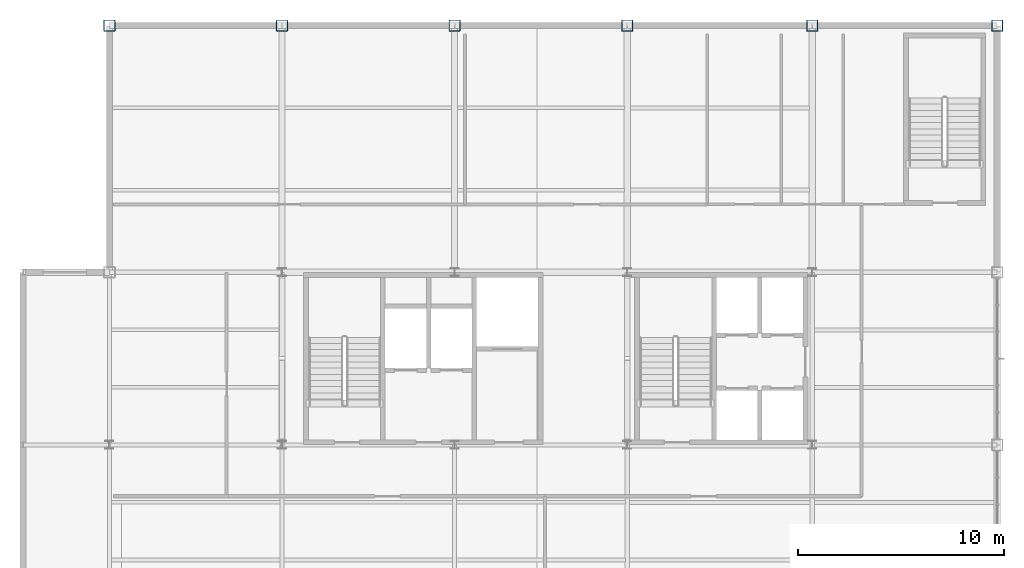
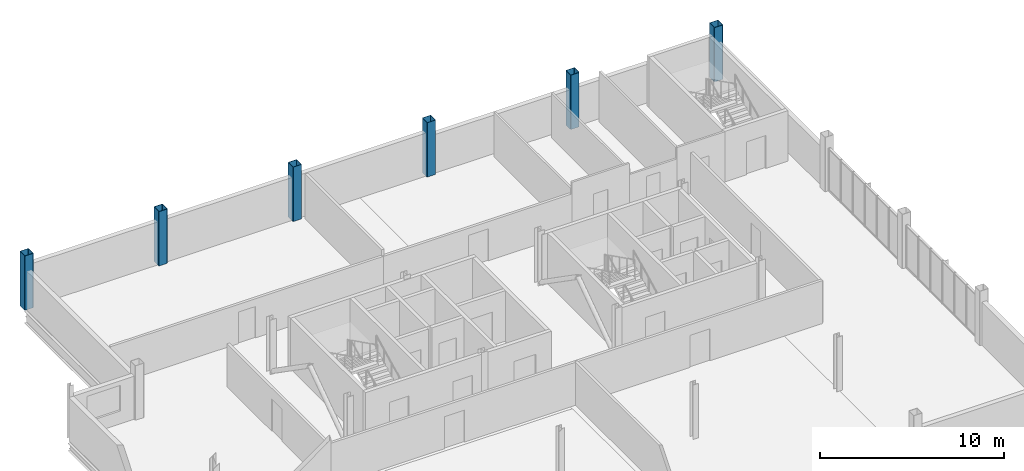
# One storey, part 4 of 18: 6 columns.
"""IFC4 building model written with IfcOpenShell, lengths in metres."""

from ifc_helpers import new_model, si_unit, direction, frame, origin, origin_2d, place, context, subcontext, project, spatial, hollow_rectangle, extrude, material, material_profile, profile_set, type_object, element, save


model = new_model("IFC4")

# Units and contexts
model_context = context("Model", 3, precision=1e-05, world=origin(), true_north=direction((0.0, 1.0)))
body_context = subcontext(model_context, "Body", "Model", "MODEL_VIEW")
ifc_project = project(units=[si_unit("LENGTHUNIT", "METRE"), si_unit("AREAUNIT", "SQUARE_METRE"), si_unit("VOLUMEUNIT", "CUBIC_METRE"), si_unit("PLANEANGLEUNIT", "RADIAN"), si_unit("MASSUNIT", "GRAM", prefix="KILO")], contexts=[model_context])

# Site, building, storey
site_placement = place(None, origin())
site = spatial("IfcSite", under=ifc_project, at=site_placement, CompositionType="ELEMENT")
building_placement = place(site_placement, origin())
building = spatial("IfcBuilding", under=site, at=building_placement, Name="Yukiwa Park Conservatory and Herbarium", CompositionType="ELEMENT")
storey_placement = place(building_placement, frame((0.0, 0.0, 24.60009765625)))
storey = spatial("IfcBuildingStorey", under=building, at=storey_placement, Name="L06", CompositionType="ELEMENT", Elevation=24.60009765625)

# Columns
ifc_material = material(Name="Steel Q355D", Category="steel")
ifc_material_profile = material_profile(ifc_material, hollow_rectangle(XDim=0.550048828125, YDim=0.550048828125, WallThickness=0.02197265625, InnerFilletRadius=0.02197265625, OuterFilletRadius=0.0439453125, at=origin_2d()), Name="BOX 550x550x22")
ifc_profile_set = profile_set([ifc_material_profile], Name="Steel Q355D")
column_type = type_object("IfcColumnType", Name="COL-TW-BOX550-EXT", PredefinedType="COLUMN", material=ifc_profile_set)
for number, where, z_axis, x_axis, name in (
    (1, (124.800048828125, 115.199951171875, 0.0), (0.0, 0.0, 1.0), (1.0, 0.0, 0.0), "L06 column V5-X1248-Y1152"),
    (2, (133.199951171875, 115.199951171875, 0.0), (0.0, 0.0, 1.0), (1.0, 0.0, 0.0), "L06 column V5-X1332-Y1152"),
    (3, (141.60009765625, 115.199951171875, 0.0), (0.0, 0.0, 1.0), (1.0, 0.0, 0.0), "L06 column V5-X1416-Y1152"),
    (4, (150.0, 115.199951171875, 0.0), (0.0, 0.0, 1.0), (1.0, 0.0, 0.0), "L06 column V5-X1500-Y1152"),
    (5, (159.0, 115.199951171875, 0.0), (0.0, 0.0, 1.0), (1.0, 0.0, 0.0), "L06 column V5-X1590-Y1152"),
    (6, (168.0, 115.199951171875, 0.0), (0.0, 0.0, 1.0), (1.0, 0.0, 0.0), "L06 column V5-X1680-Y1152"),
):
    element("IfcColumn", number, at=place(storey_placement, frame(where, z_axis=z_axis, x_axis=x_axis)), inside=storey, type_object=column_type, Name=name, PredefinedType="COLUMN", context=body_context, shape_type="SweptSolid", body=[
        extrude(hollow_rectangle(XDim=0.550048828125, YDim=0.550048828125, WallThickness=0.02197265625, InnerFilletRadius=0.02197265625, OuterFilletRadius=0.0439453125, at=origin_2d()), origin(), (0.0, 0.0, 1.0), 3.599853515625),
    ])

save(model, "model.ifc")
